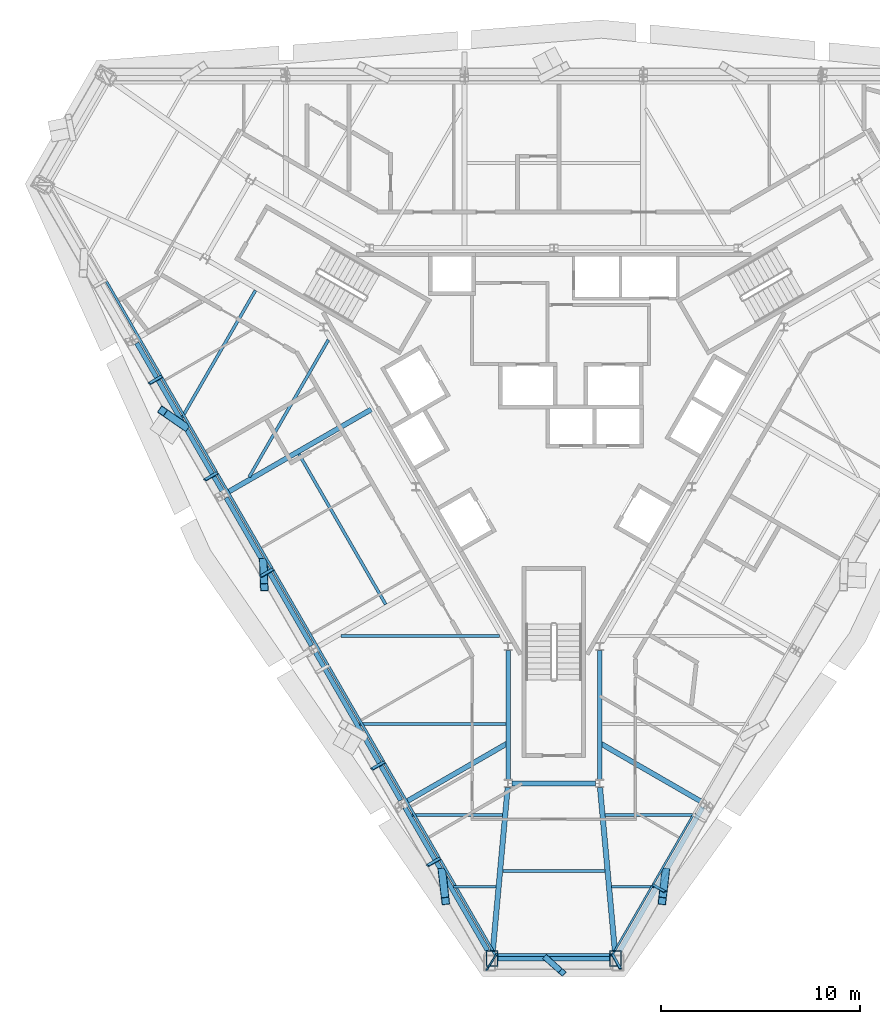
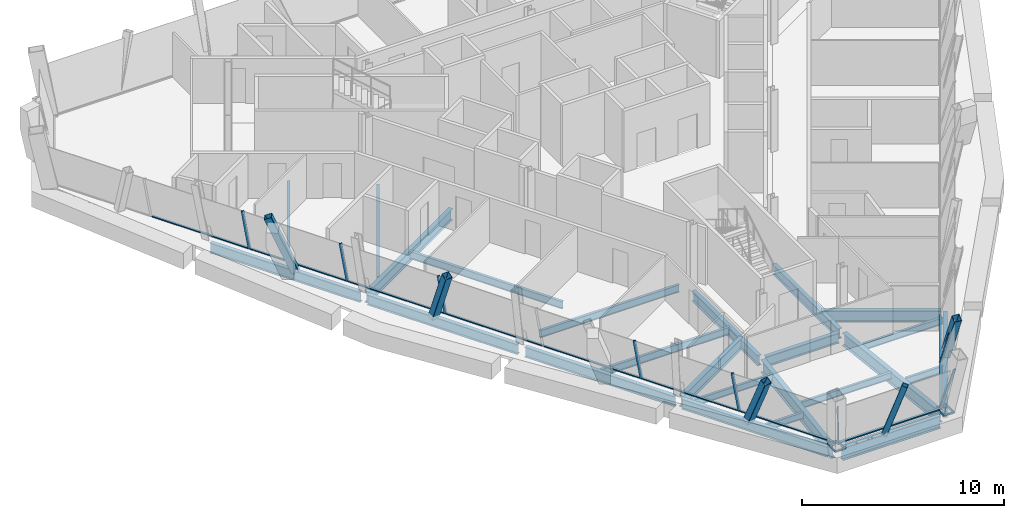
# One storey, part 3 of 13: 25 members, 24 beams, 3 elements without a shape of their own.
"""IFC4 building model written with IfcOpenShell, lengths in metres."""

from ifc_helpers import new_model, si_unit, direction, frame, origin, origin_2d, place, context, subcontext, project, spatial, rectangle, hollow_rectangle, i_section, extrude, material, material_profile, profile_set, type_object, element, aggregate, save


model = new_model("IFC4")

# Units and contexts
model_context = context("Model", 3, precision=1e-05, world=origin(), true_north=direction((0.0, 1.0)))
body_context = subcontext(model_context, "Body", "Model", "MODEL_VIEW")
ifc_project = project(units=[si_unit("LENGTHUNIT", "METRE"), si_unit("AREAUNIT", "SQUARE_METRE"), si_unit("VOLUMEUNIT", "CUBIC_METRE"), si_unit("PLANEANGLEUNIT", "RADIAN"), si_unit("MASSUNIT", "GRAM", prefix="KILO")], contexts=[model_context])

# Site, building, storey
site_placement = place(None, origin())
site = spatial("IfcSite", under=ifc_project, at=site_placement, CompositionType="ELEMENT")
building_placement = place(site_placement, origin())
building = spatial("IfcBuilding", under=site, at=building_placement, Name="Verrane Prism Tower", CompositionType="ELEMENT")
storey_placement = place(building_placement, frame((0.0, 0.0, 243.39990234375)))
storey = spatial("IfcBuildingStorey", under=building, at=storey_placement, Name="L61", CompositionType="ELEMENT", Elevation=243.39990234375)

# Member
ifc_material_1 = material(Name="Steel A500 Grade C", Category="steel")
ifc_material_profile_1 = material_profile(ifc_material_1, hollow_rectangle(XDim=0.3046875, YDim=0.3046875, WallThickness=0.0126953125, InnerFilletRadius=0.00634765625, OuterFilletRadius=0.01904296875, at=origin_2d()), Name="HSS12x12x1/2")
ifc_profile_set_1 = profile_set([ifc_material_profile_1], Name="Steel A500 Grade C")
member_type_1 = type_object("IfcMemberType", Name="Chamfer brace HSS12x12x1/2", PredefinedType="BRACE", material=ifc_profile_set_1)
member_1_placement = place(storey_placement, frame((-0.367431640625, -27.68994140625, -0.242431640625), z_axis=(0.241243548773, -0.213207538327, 0.946754506605), x_axis=(0.662224941489, 0.749305095986, 0.0)))
element("IfcMember", 1, at=member_1_placement, inside=storey, type_object=member_type_1, Name="Chamfer brace S0 L61", PredefinedType="BRACE", context=body_context, shape_type="SweptSolid", body=[
    extrude(hollow_rectangle(XDim=0.3046875, YDim=0.3046875, WallThickness=0.0126953125, InnerFilletRadius=0.00634765625, OuterFilletRadius=0.01904296875, at=origin_2d()), origin(), (0.0, 0.0, 1.0), 3.282958984375),
])

# Beams
ifc_material_2 = material(Name="Steel A992", Category="steel")
ifc_material_profile_2 = material_profile(ifc_material_2, i_section(OverallWidth=0.2666015625, OverallDepth=0.7568359375, WebThickness=0.013916015625, FlangeThickness=0.019287109375, FilletRadius=0.0166015625, at=origin_2d()), Name="W30x108")
ifc_profile_set_2 = profile_set([ifc_material_profile_2], Name="Steel A992")
beam_type_1 = type_object("IfcBeamType", Name="Chamfer spandrel beam W30x108", PredefinedType="SPANDREL", material=ifc_profile_set_2)
beam_1_placement = place(storey_placement, frame((-2.800048828125, -27.68994140625, -0.538330078125), z_axis=(1.0, 0.0, 0.0), x_axis=(0.0, 1.0, 0.0)))
element("IfcBeam", 2, at=beam_1_placement, inside=storey, type_object=beam_type_1, Name="Chamfer spandrel beam L61", PredefinedType="SPANDREL", context=body_context, shape_type="SweptSolid", body=[
    extrude(i_section(OverallWidth=0.2666015625, OverallDepth=0.7568359375, WebThickness=0.013916015625, FlangeThickness=0.019287109375, FilletRadius=0.0166015625, at=origin_2d()), origin(), (0.0, 0.0, 1.0), 5.60009765625),
])
ifc_material_3 = material(Name="Steel A992", Category="steel")
ifc_material_profile_3 = material_profile(ifc_material_3, i_section(OverallWidth=0.23046875, OverallDepth=0.6171875, WebThickness=0.01318359375, FlangeThickness=0.022216796875, FilletRadius=0.012939453125, at=origin_2d()), Name="W24x94")
ifc_profile_set_3 = profile_set([ifc_material_profile_3], Name="Steel A992")
beam_type_2 = type_object("IfcBeamType", Name="Core ring girder W24x94", PredefinedType="BEAM", material=ifc_profile_set_3)
beam_2_placement = place(storey_placement, frame((-2.300048828125, -12.212890625, -0.55859375), z_axis=(0.0, -1.0, 0.0), x_axis=(1.0, 0.0, 0.0)))
element("IfcBeam", 3, at=beam_2_placement, inside=storey, type_object=beam_type_2, Name="Core ring girder L61", PredefinedType="BEAM", context=body_context, shape_type="SweptSolid", body=[
    extrude(i_section(OverallWidth=0.23046875, OverallDepth=0.6171875, WebThickness=0.01318359375, FlangeThickness=0.022216796875, FilletRadius=0.012939453125, at=origin_2d()), origin(), (0.0, 0.0, 1.0), 6.48779296875),
])
beam_3_placement = place(storey_placement, frame((-2.099365234375, -18.89990234375, -0.55859375), z_axis=(1.0, 0.0, 0.0), x_axis=(0.0, 1.0, 0.0)))
element("IfcBeam", 4, at=beam_3_placement, inside=storey, type_object=beam_type_2, Name="Core ring girder L61", PredefinedType="BEAM", context=body_context, shape_type="SweptSolid", body=[
    extrude(i_section(OverallWidth=0.23046875, OverallDepth=0.6171875, WebThickness=0.01318359375, FlangeThickness=0.022216796875, FilletRadius=0.012939453125, at=origin_2d()), origin(), (0.0, 0.0, 1.0), 4.19873046875),
])
beam_4_placement = place(storey_placement, frame((2.300048828125, -18.70068359375, -0.55859375), z_axis=(0.0, 1.0, 0.0), x_axis=(-1.0, 0.0, 0.0)))
element("IfcBeam", 5, at=beam_4_placement, inside=storey, type_object=beam_type_2, Name="Core ring girder L61", PredefinedType="BEAM", context=body_context, shape_type="SweptSolid", body=[
    extrude(i_section(OverallWidth=0.23046875, OverallDepth=0.6171875, WebThickness=0.01318359375, FlangeThickness=0.022216796875, FilletRadius=0.012939453125, at=origin_2d()), origin(), (0.0, 0.0, 1.0), 6.48779296875),
])
ifc_material_4 = material(Name="Steel A992", Category="steel")
ifc_material_profile_4 = material_profile(ifc_material_4, i_section(OverallWidth=0.2666015625, OverallDepth=0.76708984375, WebThickness=0.014892578125, FlangeThickness=0.023681640625, FilletRadius=0.0166015625, at=origin_2d()), Name="W30x124")
ifc_profile_set_4 = profile_set([ifc_material_profile_4], Name="Steel A992")
beam_type_3 = type_object("IfcBeamType", Name="Corner girder W30x124", PredefinedType="BEAM", material=ifc_profile_set_4)
for number, where, z_axis, x_axis, name in (
    (6, (-3.063720703125, -27.2900390625, -0.603515625), (0.090656186222, 0.995882250017, 0.0), (-0.995882250017, 0.090656186222, 0.0), "Corner girder L61"),
    (7, (3.063720703125, -27.2900390625, -0.603515625), (-0.090656186222, 0.995882250017, 0.0), (-0.995882250017, -0.090656186222, 0.0), "Corner girder L61"),
):
    element("IfcBeam", number, at=place(storey_placement, frame(where, z_axis=z_axis, x_axis=x_axis)), inside=storey, type_object=beam_type_3, Name=name, PredefinedType="BEAM", context=body_context, shape_type="SweptSolid", body=[
        extrude(i_section(OverallWidth=0.2666015625, OverallDepth=0.76708984375, WebThickness=0.014892578125, FlangeThickness=0.023681640625, FilletRadius=0.0166015625, at=origin_2d()), origin(), (0.0, 0.0, 1.0), 8.224609375),
    ])

# Members
ifc_material_5 = material(Name="Steel A500 Grade C", Category="steel")
ifc_material_profile_5 = material_profile(ifc_material_5, hollow_rectangle(XDim=0.406494140625, YDim=0.406494140625, WallThickness=0.01904296875, InnerFilletRadius=0.009521484375, OuterFilletRadius=0.028564453125, at=origin_2d()), Name="HSS16x16x3/4")
ifc_profile_set_5 = profile_set([ifc_material_profile_5], Name="Steel A500 Grade C")
member_type_2 = type_object("IfcMemberType", Name="Facade brace HSS16x16x3/4", PredefinedType="BRACE", material=ifc_profile_set_5)
member_2_placement = place(storey_placement, frame((-18.53271484375, -0.966064453125, -0.216552734375), z_axis=(-0.322602013619, 0.223031755876, 0.919883023368), x_axis=(-0.568678806542, -0.822559672601, 0.0)))
element("IfcMember", 8, at=member_2_placement, inside=storey, type_object=member_type_2, Name="Facade brace SW1 L61", PredefinedType="BRACE", context=body_context, shape_type="SweptSolid", body=[
    extrude(hollow_rectangle(XDim=0.406494140625, YDim=0.406494140625, WallThickness=0.01904296875, InnerFilletRadius=0.009521484375, OuterFilletRadius=0.028564453125, at=origin_2d()), origin(), (0.0, 0.0, 1.0), 3.474365234375),
])
member_3_placement = place(storey_placement, frame((-14.591796875, -7.785888671875, -0.216552734375), z_axis=(0.01421343073, -0.366422244214, 0.930340108418), x_axis=(0.9992485252, 0.038760609977, 0.0)))
element("IfcMember", 9, at=member_3_placement, inside=storey, type_object=member_type_2, Name="Facade brace SW2 L61", PredefinedType="BRACE", context=body_context, shape_type="SweptSolid", body=[
    extrude(hollow_rectangle(XDim=0.406494140625, YDim=0.406494140625, WallThickness=0.01904296875, InnerFilletRadius=0.009521484375, OuterFilletRadius=0.028564453125, at=origin_2d()), origin(), (0.0, 0.0, 1.0), 3.435302734375),
])
for number, where, z_axis, x_axis, name in (
    (10, (-5.612548828125, -23.34228515625, -0.216552734375), (0.048995522023, -0.415004563311, 0.908499120117), (0.993102911152, 0.117245928975, 0.0), "Facade brace SW4 L61"),
    (11, (5.612548828125, -23.34228515625, -0.216552734375), (-0.048995522023, -0.415004563311, 0.908499120117), (0.993102911152, -0.117245928975, 0.0), "Facade brace SE0 L61"),
):
    element("IfcMember", number, at=place(storey_placement, frame(where, z_axis=z_axis, x_axis=x_axis)), inside=storey, type_object=member_type_2, Name=name, PredefinedType="BRACE", context=body_context, shape_type="SweptSolid", body=[
        extrude(hollow_rectangle(XDim=0.406494140625, YDim=0.406494140625, WallThickness=0.01904296875, InnerFilletRadius=0.009521484375, OuterFilletRadius=0.028564453125, at=origin_2d()), origin(), (0.0, 0.0, 1.0), 3.517822265625),
    ])

# Beams
ifc_material_6 = material(Name="Steel A992", Category="steel")
ifc_material_profile_6 = material_profile(ifc_material_6, i_section(OverallWidth=0.140380859375, OverallDepth=0.40380859375, WebThickness=0.007080078125, FlangeThickness=0.01123046875, FilletRadius=0.01025390625, at=origin_2d()), Name="W16x31")
ifc_profile_set_6 = profile_set([ifc_material_profile_6], Name="Steel A992")
beam_type_4 = type_object("IfcBeamType", Name="Floor beam W16x31", PredefinedType="BEAM", material=ifc_profile_set_6)
beam_5_placement = place(storey_placement, frame((-5.05126953125, -24.083251953125, -0.36181640625), z_axis=(1.0, 0.0, 0.0), x_axis=(0.0, 1.0, 0.0)))
element("IfcBeam", 12, at=beam_5_placement, inside=storey, type_object=beam_type_4, Name="Floor beam L61", PredefinedType="BEAM", context=body_context, shape_type="SweptSolid", body=[
    extrude(i_section(OverallWidth=0.140380859375, OverallDepth=0.40380859375, WebThickness=0.007080078125, FlangeThickness=0.01123046875, FilletRadius=0.01025390625, at=origin_2d()), origin(), (0.0, 0.0, 1.0), 2.1455078125),
])
beam_6_placement = place(storey_placement, frame((-7.135498046875, -20.476806640625, -0.36181640625), z_axis=(1.0, 0.0, 0.0), x_axis=(0.0, 1.0, 0.0)))
element("IfcBeam", 13, at=beam_6_placement, inside=storey, type_object=beam_type_4, Name="Floor beam L61", PredefinedType="BEAM", context=body_context, shape_type="SweptSolid", body=[
    extrude(i_section(OverallWidth=0.140380859375, OverallDepth=0.40380859375, WebThickness=0.007080078125, FlangeThickness=0.01123046875, FilletRadius=0.01025390625, at=origin_2d()), origin(), (0.0, 0.0, 1.0), 4.55810546875),
])
beam_7_placement = place(storey_placement, frame((2.90576171875, -24.083251953125, -0.36181640625), z_axis=(1.0, 0.0, 0.0), x_axis=(0.0, 1.0, 0.0)))
element("IfcBeam", 14, at=beam_7_placement, inside=storey, type_object=beam_type_4, Name="Floor beam L61", PredefinedType="BEAM", context=body_context, shape_type="SweptSolid", body=[
    extrude(i_section(OverallWidth=0.140380859375, OverallDepth=0.40380859375, WebThickness=0.007080078125, FlangeThickness=0.01123046875, FilletRadius=0.01025390625, at=origin_2d()), origin(), (0.0, 0.0, 1.0), 2.1455078125),
])
beam_8_placement = place(storey_placement, frame((2.577392578125, -20.476806640625, -0.36181640625), z_axis=(1.0, 0.0, 0.0), x_axis=(0.0, 1.0, 0.0)))
element("IfcBeam", 15, at=beam_8_placement, inside=storey, type_object=beam_type_4, Name="Floor beam L61", PredefinedType="BEAM", context=body_context, shape_type="SweptSolid", body=[
    extrude(i_section(OverallWidth=0.140380859375, OverallDepth=0.40380859375, WebThickness=0.007080078125, FlangeThickness=0.01123046875, FilletRadius=0.01025390625, at=origin_2d()), origin(), (0.0, 0.0, 1.0), 4.55810546875),
])
beam_9_placement = place(storey_placement, frame((-2.56591796875, -23.294921875, -0.36181640625), z_axis=(1.0, 0.0, 0.0), x_axis=(0.0, 1.0, 0.0)))
element("IfcBeam", 16, at=beam_9_placement, inside=storey, type_object=beam_type_4, Name="Floor beam L61", PredefinedType="BEAM", context=body_context, shape_type="SweptSolid", body=[
    extrude(i_section(OverallWidth=0.140380859375, OverallDepth=0.40380859375, WebThickness=0.007080078125, FlangeThickness=0.01123046875, FilletRadius=0.01025390625, at=origin_2d()), origin(), (0.0, 0.0, 1.0), 5.1318359375),
])
ifc_material_7 = material(Name="Steel A992", Category="steel")
ifc_material_profile_7 = material_profile(ifc_material_7, i_section(OverallWidth=0.15234375, OverallDepth=0.449462890625, WebThickness=0.007568359375, FlangeThickness=0.0107421875, FilletRadius=0.01025390625, at=origin_2d()), Name="W18x35")
ifc_profile_set_7 = profile_set([ifc_material_profile_7], Name="Steel A992")
beam_type_5 = type_object("IfcBeamType", Name="Floor beam W18x35", PredefinedType="BEAM", material=ifc_profile_set_7)
beam_10_placement = place(storey_placement, frame((-15.298583984375, -3.506103515625, -0.384765625), z_axis=(0.500009511199, 0.866019912421, 0.0), x_axis=(-0.866019912421, 0.500009511199, 0.0)))
element("IfcBeam", 17, at=beam_10_placement, inside=storey, type_object=beam_type_5, Name="Floor beam L61", PredefinedType="BEAM", context=body_context, shape_type="SweptSolid", body=[
    extrude(i_section(OverallWidth=0.15234375, OverallDepth=0.449462890625, WebThickness=0.007568359375, FlangeThickness=0.0107421875, FilletRadius=0.01025390625, at=origin_2d()), origin(), (0.0, 0.0, 1.0), 7.950927734375),
])
beam_11_placement = place(storey_placement, frame((-18.664794921875, -0.5078125, -0.384765625), z_axis=(0.499983921128, 0.866034686726, 0.0), x_axis=(-0.866034686726, 0.499983921128, 0.0)))
element("IfcBeam", 18, at=beam_11_placement, inside=storey, type_object=beam_type_5, Name="Floor beam L61", PredefinedType="BEAM", context=body_context, shape_type="SweptSolid", body=[
    extrude(i_section(OverallWidth=0.15234375, OverallDepth=0.449462890625, WebThickness=0.007568359375, FlangeThickness=0.0107421875, FilletRadius=0.01025390625, at=origin_2d()), origin(), (0.0, 0.0, 1.0), 7.355224609375),
])
beam_12_placement = place(storey_placement, frame((-8.442626953125, -9.90966796875, -0.384765625), z_axis=(-0.500012552615, 0.866018156408, 0.0), x_axis=(-0.866018156408, -0.500012552615, 0.0)))
element("IfcBeam", 19, at=beam_12_placement, inside=storey, type_object=beam_type_5, Name="Floor beam L61", PredefinedType="BEAM", context=body_context, shape_type="SweptSolid", body=[
    extrude(i_section(OverallWidth=0.15234375, OverallDepth=0.449462890625, WebThickness=0.007568359375, FlangeThickness=0.0107421875, FilletRadius=0.01025390625, at=origin_2d()), origin(), (0.0, 0.0, 1.0), 8.717529296875),
])
beam_13_placement = place(storey_placement, frame((-9.769287109375, -15.909912109375, -0.384765625), z_axis=(1.0, 0.0, 0.0), x_axis=(0.0, 1.0, 0.0)))
element("IfcBeam", 20, at=beam_13_placement, inside=storey, type_object=beam_type_5, Name="Floor beam L61", PredefinedType="BEAM", context=body_context, shape_type="SweptSolid", body=[
    extrude(i_section(OverallWidth=0.15234375, OverallDepth=0.449462890625, WebThickness=0.007568359375, FlangeThickness=0.0107421875, FilletRadius=0.01025390625, at=origin_2d()), origin(), (0.0, 0.0, 1.0), 7.354248046875),
])
beam_14_placement = place(storey_placement, frame((-10.68994140625, -11.5, -0.384765625), z_axis=(1.0, 0.0, 0.0), x_axis=(0.0, 1.0, 0.0)))
element("IfcBeam", 21, at=beam_14_placement, inside=storey, type_object=beam_type_5, Name="Floor beam L61", PredefinedType="BEAM", context=body_context, shape_type="SweptSolid", body=[
    extrude(i_section(OverallWidth=0.15234375, OverallDepth=0.449462890625, WebThickness=0.007568359375, FlangeThickness=0.0107421875, FilletRadius=0.01025390625, at=origin_2d()), origin(), (0.0, 0.0, 1.0), 7.956298828125),
])

# Members
ifc_material_8 = material(Name="Steel A572 Grade 50", Category="steel")
ifc_material_profile_8 = material_profile(ifc_material_8, hollow_rectangle(XDim=0.60009765625, YDim=0.800048828125, WallThickness=0.050048828125, at=origin_2d()), Name="BOX 800x600x50")
ifc_profile_set_8 = profile_set([ifc_material_profile_8], Name="Steel A572 Grade 50")
member_type_3 = type_object("IfcMemberType", Name="Kink node BOX 800x600x50", PredefinedType="COLLAR", material=ifc_profile_set_8)
for number, where, z_axis, x_axis, name in (
    (22, (-3.103515625, -27.6962890625, -0.06494140625), (0.0, 0.0, 1.0), (-1.0, 0.0, 0.0), "Kink node MC4 L61"),
    (23, (3.103515625, -27.6962890625, -0.06494140625), (0.0, 0.0, 1.0), (-1.0, 0.0, 0.0), "Kink node MC4 L61"),
):
    element("IfcMember", number, at=place(storey_placement, frame(where, z_axis=z_axis, x_axis=x_axis)), inside=storey, type_object=member_type_3, Name=name, PredefinedType="COLLAR", context=body_context, shape_type="SweptSolid", body=[
        extrude(hollow_rectangle(XDim=0.60009765625, YDim=0.800048828125, WallThickness=0.050048828125, at=origin_2d()), origin(), (0.0, 0.0, 1.0), 0.130126953125),
    ])

# Curtain wall, members
ifc_material_9 = material(Name="Aluminium framed insulated glazing", Category="aluminium")
curtain_wall_type_1 = type_object("IfcCurtainWallType", Name="Curtain wall CW-C 4200 module", PredefinedType="NOTDEFINED", material=ifc_material_9)
curtain_wall_1_placement = place(storey_placement, origin())
curtain_wall_1 = element("IfcCurtainWall", 24, at=curtain_wall_1_placement, inside=storey, type_object=curtain_wall_type_1, Name="Glazed curtain wall south-east face L61", PredefinedType="NOTDEFINED")
ifc_material_10 = material(Name="Aluminium alloy 6063-T6", Category="aluminium")
ifc_material_profile_9 = material_profile(ifc_material_10, rectangle(XDim=0.139892578125, YDim=0.050048828125, at=origin_2d()), Name="Mullion 50x140 aluminium")
ifc_profile_set_9 = profile_set([ifc_material_profile_9], Name="Aluminium alloy 6063-T6")
member_type_4 = type_object("IfcMemberType", Name="Mullion 50x140 aluminium", PredefinedType="MULLION", material=ifc_profile_set_9)
member_4_placement = place(storey_placement, frame((2.950439453125, -27.493408203125, 0.0), z_axis=(0.138074731876, -0.254615662774, 0.957134385908), x_axis=(-0.98942657955, 0.007851973169, 0.14482192582)))
member_4 = element("IfcMember", 25, at=member_4_placement, type_object=member_type_4, Name="CW59.6 mullion 1", PredefinedType="MULLION", context=body_context, shape_type="SweptSolid", body=[
    extrude(rectangle(XDim=0.139892578125, YDim=0.050048828125, at=origin_2d()), origin(), (0.0, 0.0, 1.0), 2.83447265625),
])
member_5_placement = place(storey_placement, frame((4.970703125, -23.994140625, 0.0), z_axis=(0.216364904862, -0.124956614407, 0.968283053895), x_axis=(-0.852358607741, -0.507816758628, 0.124927752983)))
member_5 = element("IfcMember", 26, at=member_5_placement, type_object=member_type_4, Name="CW59.6 mullion 2", PredefinedType="MULLION", context=body_context, shape_type="SweptSolid", body=[
    extrude(rectangle(XDim=0.139892578125, YDim=0.050048828125, at=origin_2d()), origin(), (0.0, 0.0, 1.0), 2.8017578125),
])

ifc_material_11 = material(Name="Aluminium framed insulated glazing", Category="aluminium")
curtain_wall_type_2 = type_object("IfcCurtainWallType", Name="Curtain wall CW-B 5600 module", PredefinedType="NOTDEFINED", material=ifc_material_11)
curtain_wall_2_placement = place(storey_placement, origin())
curtain_wall_2 = element("IfcCurtainWall", 27, at=curtain_wall_2_placement, inside=storey, type_object=curtain_wall_type_2, Name="Glazed curtain wall south-west face L61", PredefinedType="NOTDEFINED")
ifc_material_12 = material(Name="Aluminium alloy 6063-T6", Category="aluminium")
ifc_material_profile_10 = material_profile(ifc_material_12, rectangle(XDim=0.159912109375, YDim=0.06005859375, at=origin_2d()), Name="Mullion 60x160 aluminium")
ifc_profile_set_10 = profile_set([ifc_material_profile_10], Name="Aluminium alloy 6063-T6")
member_type_5 = type_object("IfcMemberType", Name="Mullion 60x160 aluminium", PredefinedType="MULLION", material=ifc_profile_set_10)
member_6_placement = place(storey_placement, frame((-19.707763671875, 1.53125, 0.0), z_axis=(-0.216364904862, -0.124956614407, 0.968283053895), x_axis=(0.852358607741, -0.507816758628, 0.124927752983)))
member_6 = element("IfcMember", 28, at=member_6_placement, type_object=member_type_5, Name="CW59.4 mullion 3", PredefinedType="MULLION", context=body_context, shape_type="SweptSolid", body=[
    extrude(rectangle(XDim=0.159912109375, YDim=0.06005859375, at=origin_2d()), origin(), (0.0, 0.0, 1.0), 2.8017578125),
])
member_7_placement = place(storey_placement, frame((-16.91259765625, -3.309814453125, 0.0), z_axis=(-0.216447961734, -0.124954258103, 0.968264795004), x_axis=(0.852262142809, -0.507969936795, 0.124963127553)))
member_7 = element("IfcMember", 29, at=member_7_placement, type_object=member_type_5, Name="CW59.4 mullion 4", PredefinedType="MULLION", context=body_context, shape_type="SweptSolid", body=[
    extrude(rectangle(XDim=0.159912109375, YDim=0.06005859375, at=origin_2d()), origin(), (0.0, 0.0, 1.0), 2.8017578125),
])
member_8_placement = place(storey_placement, frame((-14.11767578125, -8.15087890625, 0.0), z_axis=(-0.216364904862, -0.124956614407, 0.968283053895), x_axis=(0.852358607741, -0.507816758628, 0.124927752983)))
member_8 = element("IfcMember", 30, at=member_8_placement, type_object=member_type_5, Name="CW59.4 mullion 5", PredefinedType="MULLION", context=body_context, shape_type="SweptSolid", body=[
    extrude(rectangle(XDim=0.159912109375, YDim=0.06005859375, at=origin_2d()), origin(), (0.0, 0.0, 1.0), 2.8017578125),
])
member_9_placement = place(storey_placement, frame((-8.52783203125, -17.8330078125, 0.0), z_axis=(-0.216367259975, -0.124870835096, 0.968293593572), x_axis=(0.852209741799, -0.508071565066, 0.124907328667)))
member_9 = element("IfcMember", 31, at=member_9_placement, type_object=member_type_5, Name="CW59.4 mullion 7", PredefinedType="MULLION", context=body_context, shape_type="SweptSolid", body=[
    extrude(rectangle(XDim=0.159912109375, YDim=0.06005859375, at=origin_2d()), origin(), (0.0, 0.0, 1.0), 2.8017578125),
])
member_10_placement = place(storey_placement, frame((-5.73291015625, -22.674072265625, 0.0), z_axis=(-0.216367259975, -0.124870835096, 0.968293593572), x_axis=(0.852209741799, -0.508071565066, 0.124907328667)))
member_10 = element("IfcMember", 32, at=member_10_placement, type_object=member_type_5, Name="CW59.4 mullion 8", PredefinedType="MULLION", context=body_context, shape_type="SweptSolid", body=[
    extrude(rectangle(XDim=0.159912109375, YDim=0.06005859375, at=origin_2d()), origin(), (0.0, 0.0, 1.0), 2.8017578125),
])

# Curtain wall, member
ifc_material_13 = material(Name="Aluminium framed insulated glazing", Category="aluminium")
curtain_wall_type_3 = type_object("IfcCurtainWallType", Name="Curtain wall CW-A 8400 module", PredefinedType="NOTDEFINED", material=ifc_material_13)
curtain_wall_3_placement = place(storey_placement, origin())
curtain_wall_3 = element("IfcCurtainWall", 33, at=curtain_wall_3_placement, inside=storey, type_object=curtain_wall_type_3, Name="Glazed curtain wall south corner L61", PredefinedType="NOTDEFINED")
ifc_material_14 = material(Name="Aluminium alloy 6063-T6", Category="aluminium")
ifc_material_profile_11 = material_profile(ifc_material_14, rectangle(XDim=0.199951171875, YDim=0.070068359375, at=origin_2d()), Name="Mullion 70x200 aluminium")
ifc_profile_set_11 = profile_set([ifc_material_profile_11], Name="Aluminium alloy 6063-T6")
member_type_6 = type_object("IfcMemberType", Name="Mullion 70x200 aluminium", PredefinedType="MULLION", material=ifc_profile_set_11)
member_11_placement = place(storey_placement, frame((-2.90283203125, -27.514892578125, 0.0), z_axis=(-0.154784599439, -0.246897792654, 0.956599815889), x_axis=(0.508114104522, 0.810495690639, 0.291404859673)))
member_11 = element("IfcMember", 34, at=member_11_placement, type_object=member_type_6, Name="CW59.5 mullion 1", PredefinedType="MULLION", context=body_context, shape_type="SweptSolid", body=[
    extrude(rectangle(XDim=0.199951171875, YDim=0.070068359375, at=origin_2d()), origin(), (0.0, 0.0, 1.0), 2.8359375),
])

# Beams
ifc_material_15 = material(Name="Steel A992", Category="steel")
ifc_material_profile_12 = material_profile(ifc_material_15, i_section(OverallWidth=0.25390625, OverallDepth=0.683349609375, WebThickness=0.012451171875, FlangeThickness=0.01904296875, FilletRadius=0.01513671875, at=origin_2d()), Name="W27x94")
ifc_profile_set_12 = profile_set([ifc_material_profile_12], Name="Steel A992")
beam_type_6 = type_object("IfcBeamType", Name="Radial girder W27x94", PredefinedType="BEAM", material=ifc_profile_set_12)
beam_15_placement = place(storey_placement, frame((-16.392822265625, -4.283447265625, -0.5615234375), z_axis=(0.866025143971, 0.50000045001, 0.0), x_axis=(-0.50000045001, 0.866025143971, 0.0)))
element("IfcBeam", 35, at=beam_15_placement, inside=storey, type_object=beam_type_6, Name="Radial girder L61", PredefinedType="BEAM", context=body_context, shape_type="SweptSolid", body=[
    extrude(i_section(OverallWidth=0.25390625, OverallDepth=0.683349609375, WebThickness=0.012451171875, FlangeThickness=0.01904296875, FilletRadius=0.01513671875, at=origin_2d()), origin(), (0.0, 0.0, 1.0), 8.3369140625),
])
for number, where, z_axis, x_axis, name in (
    (36, (-7.4228515625, -19.823486328125, -0.5615234375), (0.866017195286, 0.500014217266, 0.0), (-0.500014217266, 0.866017195286, 0.0), "Radial girder L61"),
    (37, (7.4228515625, -19.823486328125, -0.5615234375), (-0.866017195286, 0.500014217266, 0.0), (-0.500014217266, -0.866017195286, 0.0), "Radial girder L61"),
):
    element("IfcBeam", number, at=place(storey_placement, frame(where, z_axis=z_axis, x_axis=x_axis)), inside=storey, type_object=beam_type_6, Name=name, PredefinedType="BEAM", context=body_context, shape_type="SweptSolid", body=[
        extrude(i_section(OverallWidth=0.25390625, OverallDepth=0.683349609375, WebThickness=0.012451171875, FlangeThickness=0.01904296875, FilletRadius=0.01513671875, at=origin_2d()), origin(), (0.0, 0.0, 1.0), 5.915283203125),
    ])
ifc_material_16 = material(Name="Steel A992", Category="steel")
ifc_material_profile_13 = material_profile(ifc_material_16, i_section(OverallWidth=0.23046875, OverallDepth=0.6171875, WebThickness=0.01318359375, FlangeThickness=0.022216796875, FilletRadius=0.012939453125, at=origin_2d()), Name="W24x94")
ifc_profile_set_13 = profile_set([ifc_material_profile_13], Name="Steel A992")
beam_type_7 = type_object("IfcBeamType", Name="Spandrel beam W24x94", PredefinedType="SPANDREL", material=ifc_profile_set_13)
for number, where, z_axis, x_axis, name in (
    (38, (-20.9501953125, 3.21728515625, -0.468505859375), (0.500312223767, -0.86584506625, 0.0), (0.86584506625, 0.500312223767, 0.0), "Spandrel beam L61"),
    (39, (-16.460205078125, -4.552490234375, -0.468505859375), (0.500312223767, -0.86584506625, 0.0), (0.86584506625, 0.500312223767, 0.0), "Spandrel beam L61"),
):
    element("IfcBeam", number, at=place(storey_placement, frame(where, z_axis=z_axis, x_axis=x_axis)), inside=storey, type_object=beam_type_7, Name=name, PredefinedType="SPANDREL", context=body_context, shape_type="SweptSolid", body=[
        extrude(i_section(OverallWidth=0.23046875, OverallDepth=0.6171875, WebThickness=0.01318359375, FlangeThickness=0.022216796875, FilletRadius=0.012939453125, at=origin_2d()), origin(), (0.0, 0.0, 1.0), 8.5751953125),
    ])
beam_16_placement = place(storey_placement, frame((-11.970458984375, -12.32275390625, -0.468505859375), z_axis=(0.499491441068, -0.866318821393, 0.0), x_axis=(0.866318821393, 0.499491441068, 0.0)))
element("IfcBeam", 40, at=beam_16_placement, inside=storey, type_object=beam_type_7, Name="Spandrel beam L61", PredefinedType="SPANDREL", context=body_context, shape_type="SweptSolid", body=[
    extrude(i_section(OverallWidth=0.23046875, OverallDepth=0.6171875, WebThickness=0.01318359375, FlangeThickness=0.022216796875, FilletRadius=0.012939453125, at=origin_2d()), origin(), (0.0, 0.0, 1.0), 8.5703125),
])
for number, where, z_axis, x_axis, name in (
    (41, (-7.490234375, -20.092529296875, -0.468505859375), (0.500333377622, -0.86583284255, 0.0), (0.86583284255, 0.500333377622, 0.0), "Spandrel beam L61"),
    (42, (3.3310546875, -27.2900390625, -0.468505859375), (0.500333377622, 0.86583284255, 0.0), (-0.86583284255, 0.500333377622, 0.0), "Spandrel beam L61"),
):
    element("IfcBeam", number, at=place(storey_placement, frame(where, z_axis=z_axis, x_axis=x_axis)), inside=storey, type_object=beam_type_7, Name=name, PredefinedType="SPANDREL", context=body_context, shape_type="SweptSolid", body=[
        extrude(i_section(OverallWidth=0.23046875, OverallDepth=0.6171875, WebThickness=0.01318359375, FlangeThickness=0.022216796875, FilletRadius=0.012939453125, at=origin_2d()), origin(), (0.0, 0.0, 1.0), 8.312744140625),
    ])

# Member
ifc_material_17 = material(Name="Aluminium alloy 6063-T6", Category="aluminium")
ifc_material_profile_14 = material_profile(ifc_material_17, rectangle(XDim=0.10009765625, YDim=0.050048828125, at=origin_2d()), Name="Transom 50x100 aluminium")
ifc_profile_set_14 = profile_set([ifc_material_profile_14], Name="Aluminium alloy 6063-T6")
member_type_7 = type_object("IfcMemberType", Name="Transom 50x100 aluminium", PredefinedType="USERDEFINED", material=ifc_profile_set_14)
member_12_placement = place(storey_placement, frame((2.962890625, -27.4716796875, 0.025146484375), z_axis=(0.499981963631, 0.866035816837, 0.0), x_axis=(-0.866035816837, 0.499981963631, 0.0)))
member_12 = element("IfcMember", 43, at=member_12_placement, type_object=member_type_7, Name="CW59.6 transom 1", ObjectType="TRANSOM", PredefinedType="USERDEFINED", context=body_context, shape_type="SweptSolid", body=[
    extrude(rectangle(XDim=0.10009765625, YDim=0.050048828125, at=origin_2d()), origin(), (0.0, 0.0, 1.0), 3.990478515625),
])

member_13_placement = place(storey_placement, frame((4.983154296875, -23.97265625, 0.025146484375), z_axis=(0.499964557259, 0.866045865693, 0.0), x_axis=(-0.866045865693, 0.499964557259, 0.0)))
member_13 = element("IfcMember", 44, at=member_13_placement, type_object=member_type_7, Name="CW59.6 transom 2", ObjectType="TRANSOM", PredefinedType="USERDEFINED", context=body_context, shape_type="SweptSolid", body=[
    extrude(rectangle(XDim=0.10009765625, YDim=0.050048828125, at=origin_2d()), origin(), (0.0, 0.0, 1.0), 4.015380859375),
])

aggregate(curtain_wall_1, [member_4, member_5, member_12, member_13])

ifc_material_18 = material(Name="Aluminium alloy 6063-T6", Category="aluminium")
ifc_material_profile_15 = material_profile(ifc_material_18, rectangle(XDim=0.1201171875, YDim=0.06005859375, at=origin_2d()), Name="Transom 60x120 aluminium")
ifc_profile_set_15 = profile_set([ifc_material_profile_15], Name="Aluminium alloy 6063-T6")
member_type_8 = type_object("IfcMemberType", Name="Transom 60x120 aluminium", PredefinedType="USERDEFINED", material=ifc_profile_set_15)
member_14_placement = place(storey_placement, frame((-22.487548828125, 6.34619140625, 0.030029296875), z_axis=(0.499989971015, -0.866031193944, 0.0), x_axis=(0.866031193944, 0.499989971015, 0.0)))
member_14 = element("IfcMember", 45, at=member_14_placement, type_object=member_type_8, Name="CW59.4 transom 2", ObjectType="TRANSOM", PredefinedType="USERDEFINED", context=body_context, shape_type="SweptSolid", body=[
    extrude(rectangle(XDim=0.1201171875, YDim=0.06005859375, at=origin_2d()), origin(), (0.0, 0.0, 1.0), 5.52978515625),
])

member_15_placement = place(storey_placement, frame((-19.692626953125, 1.505126953125, 0.030029296875), z_axis=(0.499989971015, -0.866031193944, 0.0), x_axis=(0.866031193944, 0.499989971015, 0.0)))
member_15 = element("IfcMember", 46, at=member_15_placement, type_object=member_type_8, Name="CW59.4 transom 3", ObjectType="TRANSOM", PredefinedType="USERDEFINED", context=body_context, shape_type="SweptSolid", body=[
    extrude(rectangle(XDim=0.1201171875, YDim=0.06005859375, at=origin_2d()), origin(), (0.0, 0.0, 1.0), 5.52978515625),
])

member_16_placement = place(storey_placement, frame((-16.897705078125, -3.3359375, 0.030029296875), z_axis=(0.499989971015, -0.866031193944, 0.0), x_axis=(0.866031193944, 0.499989971015, 0.0)))
member_16 = element("IfcMember", 47, at=member_16_placement, type_object=member_type_8, Name="CW59.4 transom 4", ObjectType="TRANSOM", PredefinedType="USERDEFINED", context=body_context, shape_type="SweptSolid", body=[
    extrude(rectangle(XDim=0.1201171875, YDim=0.06005859375, at=origin_2d()), origin(), (0.0, 0.0, 1.0), 5.52978515625),
])

member_17_placement = place(storey_placement, frame((-14.102783203125, -8.177001953125, 0.030029296875), z_axis=(0.499989971015, -0.866031193944, 0.0), x_axis=(0.866031193944, 0.499989971015, 0.0)))
member_17 = element("IfcMember", 48, at=member_17_placement, type_object=member_type_8, Name="CW59.4 transom 5", ObjectType="TRANSOM", PredefinedType="USERDEFINED", context=body_context, shape_type="SweptSolid", body=[
    extrude(rectangle(XDim=0.1201171875, YDim=0.06005859375, at=origin_2d()), origin(), (0.0, 0.0, 1.0), 5.52978515625),
])

member_18_placement = place(storey_placement, frame((-11.307861328125, -13.017822265625, 0.030029296875), z_axis=(0.50002308228, -0.866012076814, 0.0), x_axis=(0.866012076814, 0.50002308228, 0.0)))
member_18 = element("IfcMember", 49, at=member_18_placement, type_object=member_type_8, Name="CW59.4 transom 6", ObjectType="TRANSOM", PredefinedType="USERDEFINED", context=body_context, shape_type="SweptSolid", body=[
    extrude(rectangle(XDim=0.1201171875, YDim=0.06005859375, at=origin_2d()), origin(), (0.0, 0.0, 1.0), 5.530029296875),
])

member_19_placement = place(storey_placement, frame((-8.512939453125, -17.85888671875, 0.030029296875), z_axis=(0.50002308228, -0.866012076814, 0.0), x_axis=(0.866012076814, 0.50002308228, 0.0)))
member_19 = element("IfcMember", 50, at=member_19_placement, type_object=member_type_8, Name="CW59.4 transom 7", ObjectType="TRANSOM", PredefinedType="USERDEFINED", context=body_context, shape_type="SweptSolid", body=[
    extrude(rectangle(XDim=0.1201171875, YDim=0.06005859375, at=origin_2d()), origin(), (0.0, 0.0, 1.0), 5.530029296875),
])

member_20_placement = place(storey_placement, frame((-5.7177734375, -22.699951171875, 0.030029296875), z_axis=(0.499983466698, -0.86603494908, 0.0), x_axis=(0.86603494908, 0.499983466698, 0.0)))
member_20 = element("IfcMember", 51, at=member_20_placement, type_object=member_type_8, Name="CW59.4 transom 8", ObjectType="TRANSOM", PredefinedType="USERDEFINED", context=body_context, shape_type="SweptSolid", body=[
    extrude(rectangle(XDim=0.1201171875, YDim=0.06005859375, at=origin_2d()), origin(), (0.0, 0.0, 1.0), 5.559814453125),
])

aggregate(curtain_wall_2, [member_6, member_7, member_8, member_9, member_10, member_14, member_15, member_16, member_17, member_18, member_19, member_20])

ifc_material_19 = material(Name="Aluminium alloy 6063-T6", Category="aluminium")
ifc_material_profile_16 = material_profile(ifc_material_19, rectangle(XDim=0.14990234375, YDim=0.070068359375, at=origin_2d()), Name="Transom 70x150 aluminium")
ifc_profile_set_16 = profile_set([ifc_material_profile_16], Name="Aluminium alloy 6063-T6")
member_type_9 = type_object("IfcMemberType", Name="Transom 70x150 aluminium", PredefinedType="USERDEFINED", material=ifc_profile_set_16)
member_21_placement = place(storey_placement, frame((-2.867919921875, -27.514892578125, 0.03515625), z_axis=(1.0, 0.0, 0.0), x_axis=(0.0, 1.0, 0.0)))
member_21 = element("IfcMember", 52, at=member_21_placement, type_object=member_type_9, Name="CW59.5 transom 1", ObjectType="TRANSOM", PredefinedType="USERDEFINED", context=body_context, shape_type="SweptSolid", body=[
    extrude(rectangle(XDim=0.14990234375, YDim=0.070068359375, at=origin_2d()), origin(), (0.0, 0.0, 1.0), 5.805908203125),
])

aggregate(curtain_wall_3, [member_11, member_21])

save(model, "model.ifc")
